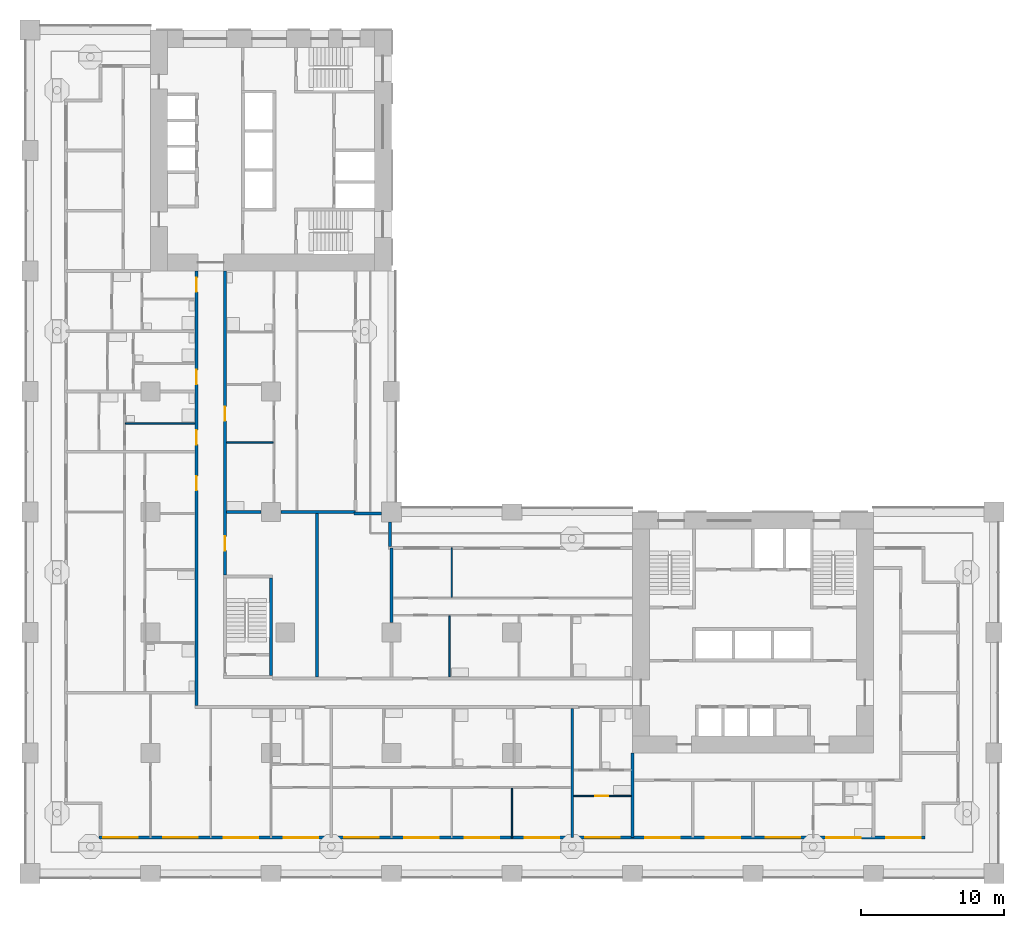
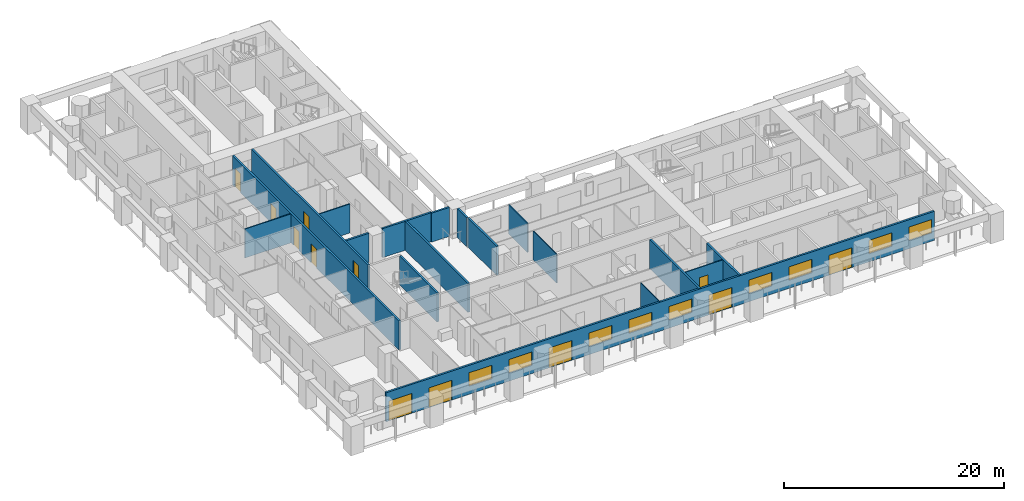
# One storey, part 4 of 19: 18 walls, 12 doors, 9 windows, 21 openings.
"""IFC4 building model written with IfcOpenShell, lengths in metres."""

import ifcopenshell
import ifcopenshell.guid

model = None  # the IFC model being written
_history = None  # IfcOwnerHistory: only IFC2X3 demands one
_inside = {}  # id of a spatial element -> (the spatial element, [elements in it])
_under = {}  # id of a project, library or spatial element -> (it, [spatial elements below it])
_declared = {}  # id of a project -> (the project, [libraries it declares])
_typed = {}  # id of a type object -> (the type object, [elements of that type])
_made_of = {}  # id of a material, layer set ... -> (it, [elements and type objects made of it])


def new_model(schema):
    """Start an empty IFC model of exactly this schema.

    Asked for "IFC4X3", IfcOpenShell would pick the latest addendum, in which some entities
    have other attributes; the version numbers below select the first issue.
    IFC2X3 requires an IfcOwnerHistory on every rooted entity: one is made here for all.
    """
    global model, _history
    if schema == "IFC4X3":
        model = ifcopenshell.file(schema_version=(4, 3, 0, 0))
    else:
        model = ifcopenshell.file(schema=schema)
    _inside.clear()
    _under.clear()
    _declared.clear()
    _typed.clear()
    _made_of.clear()
    _history = None
    if model.schema == "IFC2X3":
        org = make("IfcOrganization", Name="unknown")
        user = make(
            "IfcPersonAndOrganization",
            ThePerson=make("IfcPerson", FamilyName="unknown"),
            TheOrganization=org,
        )
        app = make(
            "IfcApplication",
            ApplicationDeveloper=org,
            Version="unknown",
            ApplicationFullName="unknown",
            ApplicationIdentifier="unknown",
        )
        _history = make(
            "IfcOwnerHistory",
            OwningUser=user,
            OwningApplication=app,
            ChangeAction="ADDED",
            CreationDate=0,
        )
    return model


def make(cls, **values):
    """One entity of the class cls with the attributes given. An attribute that is None is left unset."""
    return model.create_entity(
        cls, **{name: value for name, value in values.items() if value is not None}
    )


def rooted(cls, **values):
    """An entity with a GlobalId (a new one), such as an element, a storey or a relation."""
    return make(cls, GlobalId=ifcopenshell.guid.new(), OwnerHistory=_history, **values)


def si_unit(unit_type, name, prefix=None):
    """IfcSIUnit, for example si_unit("LENGTHUNIT", "METRE", prefix="MILLI")."""
    return make("IfcSIUnit", UnitType=unit_type, Prefix=prefix, Name=name)


def assignment(units):
    """IfcUnitAssignment: the units of a project."""
    return None if units is None else make("IfcUnitAssignment", Units=units)


def point(xyz):
    """IfcCartesianPoint."""
    return None if xyz is None else make("IfcCartesianPoint", Coordinates=xyz)


def direction(xyz):
    """IfcDirection."""
    return None if xyz is None else make("IfcDirection", DirectionRatios=xyz)


def frame(location, z_axis=None, x_axis=None):
    """IfcAxis2Placement3D, a coordinate frame: its origin and axes. An axis left out is left unset."""
    return make(
        "IfcAxis2Placement3D",
        Location=point(location),
        Axis=direction(z_axis),
        RefDirection=direction(x_axis),
    )


def frame_2d(location, x_axis=None):
    """IfcAxis2Placement2D, a coordinate frame in the plane: its origin and x axis."""
    return make(
        "IfcAxis2Placement2D", Location=point(location), RefDirection=direction(x_axis)
    )


def origin():
    """The frame at (0, 0, 0) with its axes left unset."""
    return frame((0.0, 0.0, 0.0))


def place(relative_to, where):
    """IfcLocalPlacement: puts the frame where relative to a parent placement (None: the world)."""
    return make(
        "IfcLocalPlacement", PlacementRelTo=relative_to, RelativePlacement=where
    )


def context(
    kind, dimensions, precision=None, world=None, true_north=None, identifier=None
):
    """IfcGeometricRepresentationContext, for example the 3D "Model" context."""
    return make(
        "IfcGeometricRepresentationContext",
        ContextIdentifier=identifier,
        ContextType=kind,
        CoordinateSpaceDimension=dimensions,
        Precision=precision,
        WorldCoordinateSystem=world,
        TrueNorth=true_north,
    )


def subcontext(parent, identifier, kind, view, scale=None):
    """IfcGeometricRepresentationSubContext, for example "Body" below "Model"."""
    return make(
        "IfcGeometricRepresentationSubContext",
        ContextIdentifier=identifier,
        ContextType=kind,
        ParentContext=parent,
        TargetScale=scale,
        TargetView=view,
    )


def project(units=None, contexts=None):
    """IfcProject with its units and contexts."""
    return rooted(
        "IfcProject",
        Name="project",
        RepresentationContexts=contexts,
        UnitsInContext=assignment(units),
    )


def spatial(cls, under=None, at=None, **own):
    """A site, building, storey or space (cls), placed at a placement, below another one or the project."""
    s = rooted(cls, ObjectPlacement=at, **own)
    if under is not None:
        _under.setdefault(under.id(), (under, []))[1].append(s)
    return s


def profile(cls, at=None, kind="AREA", **sizes):
    """A parametric profile (cls). Its sizes go by their IFC names, for example OverallWidth=200.0."""
    return make(cls, ProfileType=kind, Position=at, **sizes)


def rectangle(**sizes):
    """IfcRectangleProfileDef."""
    return profile("IfcRectangleProfileDef", **sizes)


def extrude(swept, where, along, depth):
    """IfcExtrudedAreaSolid: the profile swept, set in the frame where, extruded along a direction by depth."""
    return make(
        "IfcExtrudedAreaSolid",
        SweptArea=swept,
        Position=where,
        ExtrudedDirection=direction(along),
        Depth=depth,
    )


def shape(context_of_items, identifier, shape_type, items):
    """IfcShapeRepresentation: the items that make up one representation, for example the "Body"."""
    return make(
        "IfcShapeRepresentation",
        ContextOfItems=context_of_items,
        RepresentationIdentifier=identifier,
        RepresentationType=shape_type,
        Items=items,
    )


def material(Name=None, Category=None):
    """IfcMaterial."""
    return make("IfcMaterial", Name=Name, Category=Category)


def layer(
    of_material, thickness, ventilated=None, Name=None, Category=None, Priority=None
):
    """IfcMaterialLayer: one layer of a wall or slab, of a material (None: an air gap)."""
    return make(
        "IfcMaterialLayer",
        Material=of_material,
        LayerThickness=thickness,
        IsVentilated=ventilated,
        Name=Name,
        Category=Category,
        Priority=Priority,
    )


def layer_set(layers, Name=None):
    """IfcMaterialLayerSet."""
    return make("IfcMaterialLayerSet", MaterialLayers=layers, LayerSetName=Name)


def made_of(thing, what):
    """Note that an element or type object is made of a material, layer set ...; save() writes the relation."""
    if what is not None:
        _made_of.setdefault(what.id(), (what, []))[1].append(thing)
    return thing


def type_object(cls, material=None, **own):
    """A type object (cls), such as IfcWallType, which elements share."""
    return made_of(rooted(cls, **own), material)


def element(
    cls,
    number,
    at=None,
    inside=None,
    cuts=None,
    type_object=None,
    material=None,
    context=None,
    identifier="Body",
    shape_type=None,
    held_by="IfcProductDefinitionShape",
    body=None,
    shapes=None,
    **own,
):
    """One element of the class cls, such as IfcWall. Its Tag is "e" and its number.

    at: its placement. inside: the storey or other place that contains it. cuts: it is an
    opening in that element (IfcRelVoidsElement). A single representation is given by context,
    identifier, shape_type and body (its items); several are given by shapes. held_by: the class
    of the entity that holds the representations. save() writes the other relations.
    """
    e = rooted(cls, Tag="e%d" % number, ObjectPlacement=at, **own)
    if body is not None:
        shapes = [shape(context, identifier, shape_type, body)]
    if shapes is not None:
        e.Representation = make(held_by, Representations=shapes)
    if inside is not None:
        _inside.setdefault(inside.id(), (inside, []))[1].append(e)
    if cuts is not None:
        rooted(
            "IfcRelVoidsElement", RelatingBuildingElement=cuts, RelatedOpeningElement=e
        )
    if type_object is not None:
        _typed.setdefault(type_object.id(), (type_object, []))[1].append(e)
    return made_of(e, material)


def fill(opening, filler):
    """IfcRelFillsElement: the door or window that sits in an opening."""
    return rooted(
        "IfcRelFillsElement",
        RelatingOpeningElement=opening,
        RelatedBuildingElement=filler,
    )


def aggregate(whole, parts):
    """IfcRelAggregates: a whole, such as a stair, and the parts it consists of."""
    return rooted("IfcRelAggregates", RelatingObject=whole, RelatedObjects=parts)


def save(model, path):
    """Write the relations noted so far, then the file.

    IfcRelAggregates (storeys below a building ...), IfcRelContainedInSpatialStructure (elements
    in a storey), IfcRelDefinesByType, IfcRelAssociatesMaterial and IfcRelDeclares: one each for
    every whole, place, type object, material and project.
    """
    for whole, parts in _under.values():
        aggregate(whole, parts)
    for where, things in _inside.values():
        rooted(
            "IfcRelContainedInSpatialStructure",
            RelatedElements=things,
            RelatingStructure=where,
        )
    for kind, things in _typed.values():
        rooted("IfcRelDefinesByType", RelatedObjects=things, RelatingType=kind)
    for what, things in _made_of.values():
        rooted("IfcRelAssociatesMaterial", RelatedObjects=things, RelatingMaterial=what)
    for by, libraries in _declared.values():
        rooted("IfcRelDeclares", RelatingContext=by, RelatedDefinitions=libraries)
    model.write(path)


model = new_model("IFC4")

# Units and contexts
model_context = context("Model", 3, precision=1e-05, world=origin(), true_north=direction((0.0, 1.0)))
body_context = subcontext(model_context, "Body", "Model", "MODEL_VIEW")
ifc_project = project(units=[si_unit("LENGTHUNIT", "METRE"), si_unit("AREAUNIT", "SQUARE_METRE"), si_unit("VOLUMEUNIT", "CUBIC_METRE"), si_unit("PLANEANGLEUNIT", "RADIAN"), si_unit("MASSUNIT", "GRAM", prefix="KILO")], contexts=[model_context])

# Site, building, storey
site_placement = place(None, origin())
site = spatial("IfcSite", under=ifc_project, at=site_placement, CompositionType="ELEMENT")
building_placement = place(site_placement, origin())
building = spatial("IfcBuilding", under=site, at=building_placement, Name="Vermilion Gate Residences", CompositionType="ELEMENT")
storey_placement = place(building_placement, frame((0.0, 0.0, 32.199951171875)))
storey = spatial("IfcBuildingStorey", under=building, at=storey_placement, Name="L06", CompositionType="ELEMENT", Elevation=32.199951171875)

# Wall, openings, doors, windows
ifc_material_1 = material(Name="Insulated steel stud wall with terracotta rainscreen", Category="masonry")
ifc_layer_1 = layer(ifc_material_1, 0.199951171875)
ifc_layer_set_1 = layer_set([ifc_layer_1], Name="EXTERNAL WALL 200 TERRACOTTA RAINSCREEN")
wall_type_1 = type_object("IfcWallType", Name="EXTERNAL WALL 200 TERRACOTTA RAINSCREEN", PredefinedType="SOLIDWALL", material=ifc_layer_set_1)
wall_1_placement = place(storey_placement, frame((4.800048828125, 2.5, 0.0), z_axis=(0.0, 0.0, 1.0), x_axis=(1.0, 0.0, 0.0)))
wall_1 = element("IfcWall", 1, at=wall_1_placement, inside=storey, type_object=wall_type_1, Name="External wall", PredefinedType="SOLIDWALL", context=body_context, shape_type="SweptSolid", body=[
    extrude(rectangle(XDim=57.599853515625, YDim=0.199951171875, at=frame_2d((28.7998046875, 0.0))), origin(), (0.0, 0.0, 1.0), 3.219970703125),
])
opening_1_placement = place(wall_1_placement, frame((0.300048828125, 0.0, 0.0)))
opening_1 = element("IfcOpeningElement", 2, at=opening_1_placement, cuts=wall_1, Name="Opening DE06014", PredefinedType="OPENING", context=body_context, shape_type="SweptSolid", body=[
    extrude(rectangle(XDim=2.39990234375, YDim=2.199951171875, at=frame_2d((1.199951171875, 1.10009765625))), frame((0.0, 0.10986328125, 0.0), z_axis=(0.0, -1.0, 0.0), x_axis=(1.0, 0.0, 0.0)), (0.0, 0.0, 1.0), 0.219970703125),
])
opening_2_placement = place(wall_1_placement, frame((4.5, 0.0, 0.0)))
opening_2 = element("IfcOpeningElement", 3, at=opening_2_placement, cuts=wall_1, Name="Opening DE06015", PredefinedType="OPENING", context=body_context, shape_type="SweptSolid", body=[
    extrude(rectangle(XDim=2.39990234375, YDim=2.199951171875, at=frame_2d((1.199951171875, 1.10009765625))), frame((0.0, 0.10986328125, 0.0), z_axis=(0.0, -1.0, 0.0), x_axis=(1.0, 0.0, 0.0)), (0.0, 0.0, 1.0), 0.219970703125),
])
opening_3_placement = place(wall_1_placement, frame((8.699951171875, 0.0, 0.89990234375)))
opening_3 = element("IfcOpeningElement", 4, at=opening_3_placement, cuts=wall_1, Name="Opening WE06016", PredefinedType="OPENING", context=body_context, shape_type="SweptSolid", body=[
    extrude(rectangle(XDim=2.39990234375, YDim=1.5, at=frame_2d((1.199951171875, 0.75))), frame((0.0, 0.10986328125, 0.0), z_axis=(0.0, -1.0, 0.0), x_axis=(1.0, 0.0, 0.0)), (0.0, 0.0, 1.0), 0.219970703125),
])
opening_4_placement = place(wall_1_placement, frame((12.89990234375, 0.0, 0.89990234375)))
opening_4 = element("IfcOpeningElement", 5, at=opening_4_placement, cuts=wall_1, Name="Opening WE06017", PredefinedType="OPENING", context=body_context, shape_type="SweptSolid", body=[
    extrude(rectangle(XDim=2.39990234375, YDim=1.5, at=frame_2d((1.199951171875, 0.75))), frame((0.0, 0.10986328125, 0.0), z_axis=(0.0, -1.0, 0.0), x_axis=(1.0, 0.0, 0.0)), (0.0, 0.0, 1.0), 0.219970703125),
])
opening_5_placement = place(wall_1_placement, frame((17.10009765625, 0.0, 0.0)))
opening_5 = element("IfcOpeningElement", 6, at=opening_5_placement, cuts=wall_1, Name="Opening DE06018", PredefinedType="OPENING", context=body_context, shape_type="SweptSolid", body=[
    extrude(rectangle(XDim=2.39990234375, YDim=2.199951171875, at=frame_2d((1.199951171875, 1.10009765625))), frame((0.0, 0.10986328125, 0.0), z_axis=(0.0, -1.0, 0.0), x_axis=(1.0, 0.0, 0.0)), (0.0, 0.0, 1.0), 0.219970703125),
])
opening_6_placement = place(wall_1_placement, frame((21.300048828125, 0.0, 0.89990234375)))
opening_6 = element("IfcOpeningElement", 7, at=opening_6_placement, cuts=wall_1, Name="Opening WE06019", PredefinedType="OPENING", context=body_context, shape_type="SweptSolid", body=[
    extrude(rectangle(XDim=2.39990234375, YDim=1.5, at=frame_2d((1.199951171875, 0.75))), frame((0.0, 0.10986328125, 0.0), z_axis=(0.0, -1.0, 0.0), x_axis=(1.0, 0.0, 0.0)), (0.0, 0.0, 1.0), 0.219970703125),
])
opening_7_placement = place(wall_1_placement, frame((25.5, 0.0, 0.89990234375)))
opening_7 = element("IfcOpeningElement", 8, at=opening_7_placement, cuts=wall_1, Name="Opening WE06020", PredefinedType="OPENING", context=body_context, shape_type="SweptSolid", body=[
    extrude(rectangle(XDim=2.39990234375, YDim=1.5, at=frame_2d((1.199951171875, 0.75))), frame((0.0, 0.10986328125, 0.0), z_axis=(0.0, -1.0, 0.0), x_axis=(1.0, 0.0, 0.0)), (0.0, 0.0, 1.0), 0.219970703125),
])
opening_8_placement = place(wall_1_placement, frame((29.699951171875, 0.0, 0.89990234375)))
opening_8 = element("IfcOpeningElement", 9, at=opening_8_placement, cuts=wall_1, Name="Opening WE06021", PredefinedType="OPENING", context=body_context, shape_type="SweptSolid", body=[
    extrude(rectangle(XDim=2.39990234375, YDim=1.5, at=frame_2d((1.199951171875, 0.75))), frame((0.0, 0.10986328125, 0.0), z_axis=(0.0, -1.0, 0.0), x_axis=(1.0, 0.0, 0.0)), (0.0, 0.0, 1.0), 0.219970703125),
])
opening_9_placement = place(wall_1_placement, frame((33.89990234375, 0.0, 0.0)))
opening_9 = element("IfcOpeningElement", 10, at=opening_9_placement, cuts=wall_1, Name="Opening DE06022", PredefinedType="OPENING", context=body_context, shape_type="SweptSolid", body=[
    extrude(rectangle(XDim=2.39990234375, YDim=2.199951171875, at=frame_2d((1.199951171875, 1.10009765625))), frame((0.0, 0.10986328125, 0.0), z_axis=(0.0, -1.0, 0.0), x_axis=(1.0, 0.0, 0.0)), (0.0, 0.0, 1.0), 0.219970703125),
])
opening_10_placement = place(wall_1_placement, frame((38.10009765625, 0.0, 0.89990234375)))
opening_10 = element("IfcOpeningElement", 11, at=opening_10_placement, cuts=wall_1, Name="Opening WE06023", PredefinedType="OPENING", context=body_context, shape_type="SweptSolid", body=[
    extrude(rectangle(XDim=2.39990234375, YDim=1.5, at=frame_2d((1.199951171875, 0.75))), frame((0.0, 0.10986328125, 0.0), z_axis=(0.0, -1.0, 0.0), x_axis=(1.0, 0.0, 0.0)), (0.0, 0.0, 1.0), 0.219970703125),
])
opening_11_placement = place(wall_1_placement, frame((42.300048828125, 0.0, 0.89990234375)))
opening_11 = element("IfcOpeningElement", 12, at=opening_11_placement, cuts=wall_1, Name="Opening WE06024", PredefinedType="OPENING", context=body_context, shape_type="SweptSolid", body=[
    extrude(rectangle(XDim=2.39990234375, YDim=1.5, at=frame_2d((1.199951171875, 0.75))), frame((0.0, 0.10986328125, 0.0), z_axis=(0.0, -1.0, 0.0), x_axis=(1.0, 0.0, 0.0)), (0.0, 0.0, 1.0), 0.219970703125),
])
opening_12_placement = place(wall_1_placement, frame((46.5, 0.0, 0.0)))
opening_12 = element("IfcOpeningElement", 13, at=opening_12_placement, cuts=wall_1, Name="Opening DE06025", PredefinedType="OPENING", context=body_context, shape_type="SweptSolid", body=[
    extrude(rectangle(XDim=2.39990234375, YDim=2.199951171875, at=frame_2d((1.199951171875, 1.10009765625))), frame((0.0, 0.10986328125, 0.0), z_axis=(0.0, -1.0, 0.0), x_axis=(1.0, 0.0, 0.0)), (0.0, 0.0, 1.0), 0.219970703125),
])
opening_13_placement = place(wall_1_placement, frame((50.699951171875, 0.0, 0.89990234375)))
opening_13 = element("IfcOpeningElement", 14, at=opening_13_placement, cuts=wall_1, Name="Opening WE06026", PredefinedType="OPENING", context=body_context, shape_type="SweptSolid", body=[
    extrude(rectangle(XDim=2.39990234375, YDim=1.5, at=frame_2d((1.199951171875, 0.75))), frame((0.0, 0.10986328125, 0.0), z_axis=(0.0, -1.0, 0.0), x_axis=(1.0, 0.0, 0.0)), (0.0, 0.0, 1.0), 0.219970703125),
])
opening_14_placement = place(wall_1_placement, frame((54.89990234375, 0.0, 0.89990234375)))
opening_14 = element("IfcOpeningElement", 15, at=opening_14_placement, cuts=wall_1, Name="Opening WE06027", PredefinedType="OPENING", context=body_context, shape_type="SweptSolid", body=[
    extrude(rectangle(XDim=2.39990234375, YDim=1.5, at=frame_2d((1.199951171875, 0.75))), frame((0.0, 0.10986328125, 0.0), z_axis=(0.0, -1.0, 0.0), x_axis=(1.0, 0.0, 0.0)), (0.0, 0.0, 1.0), 0.219970703125),
])
ifc_material_2 = material(Name="Aluminium and clear glass", Category="aluminium")
door_type_1 = type_object("IfcDoorType", Name="SLIDING GLAZED DOOR 2400 X 2200", OperationType="DOUBLE_DOOR_SLIDING", PredefinedType="DOOR", material=ifc_material_2)
door_1_placement = place(opening_1_placement, origin())
door_1 = element("IfcDoor", 16, at=door_1_placement, inside=storey, type_object=door_type_1, Name="Loggia sliding door", OperationType="DOUBLE_DOOR_SLIDING", OverallHeight=2.199951171875, OverallWidth=2.39990234375, PredefinedType="DOOR", context=body_context, shape_type="SweptSolid", body=[
    extrude(rectangle(XDim=2.39990234375, YDim=2.199951171875, at=frame_2d((1.199951171875, 1.10009765625))), frame((0.0, 0.02490234375, 0.0), z_axis=(0.0, -1.0, 0.0), x_axis=(1.0, 0.0, 0.0)), (0.0, 0.0, 1.0), 0.050048828125),
])
fill(opening_1, door_1)
door_2_placement = place(opening_2_placement, origin())
door_2 = element("IfcDoor", 17, at=door_2_placement, inside=storey, type_object=door_type_1, Name="Loggia sliding door", OperationType="DOUBLE_DOOR_SLIDING", OverallHeight=2.199951171875, OverallWidth=2.39990234375, PredefinedType="DOOR", context=body_context, shape_type="SweptSolid", body=[
    extrude(rectangle(XDim=2.39990234375, YDim=2.199951171875, at=frame_2d((1.199951171875, 1.10009765625))), frame((0.0, 0.02490234375, 0.0), z_axis=(0.0, -1.0, 0.0), x_axis=(1.0, 0.0, 0.0)), (0.0, 0.0, 1.0), 0.050048828125),
])
fill(opening_2, door_2)
door_3_placement = place(opening_5_placement, origin())
door_3 = element("IfcDoor", 18, at=door_3_placement, inside=storey, type_object=door_type_1, Name="Loggia sliding door", OperationType="DOUBLE_DOOR_SLIDING", OverallHeight=2.199951171875, OverallWidth=2.39990234375, PredefinedType="DOOR", context=body_context, shape_type="SweptSolid", body=[
    extrude(rectangle(XDim=2.39990234375, YDim=2.199951171875, at=frame_2d((1.199951171875, 1.10009765625))), frame((0.0, 0.02490234375, 0.0), z_axis=(0.0, -1.0, 0.0), x_axis=(1.0, 0.0, 0.0)), (0.0, 0.0, 1.0), 0.050048828125),
])
fill(opening_5, door_3)
door_4_placement = place(opening_9_placement, origin())
door_4 = element("IfcDoor", 19, at=door_4_placement, inside=storey, type_object=door_type_1, Name="Loggia sliding door", OperationType="DOUBLE_DOOR_SLIDING", OverallHeight=2.199951171875, OverallWidth=2.39990234375, PredefinedType="DOOR", context=body_context, shape_type="SweptSolid", body=[
    extrude(rectangle(XDim=2.39990234375, YDim=2.199951171875, at=frame_2d((1.199951171875, 1.10009765625))), frame((0.0, 0.02490234375, 0.0), z_axis=(0.0, -1.0, 0.0), x_axis=(1.0, 0.0, 0.0)), (0.0, 0.0, 1.0), 0.050048828125),
])
fill(opening_9, door_4)
door_5_placement = place(opening_12_placement, origin())
door_5 = element("IfcDoor", 20, at=door_5_placement, inside=storey, type_object=door_type_1, Name="Loggia sliding door", OperationType="DOUBLE_DOOR_SLIDING", OverallHeight=2.199951171875, OverallWidth=2.39990234375, PredefinedType="DOOR", context=body_context, shape_type="SweptSolid", body=[
    extrude(rectangle(XDim=2.39990234375, YDim=2.199951171875, at=frame_2d((1.199951171875, 1.10009765625))), frame((0.0, 0.02490234375, 0.0), z_axis=(0.0, -1.0, 0.0), x_axis=(1.0, 0.0, 0.0)), (0.0, 0.0, 1.0), 0.050048828125),
])
fill(opening_12, door_5)
ifc_material_3 = material(Name="Aluminium and clear glass", Category="aluminium")
window_type = type_object("IfcWindowType", Name="WINDOW 2400 X 1500", PartitioningType="SINGLE_PANEL", PredefinedType="WINDOW", material=ifc_material_3)
window_1_placement = place(opening_3_placement, origin())
window_1 = element("IfcWindow", 21, at=window_1_placement, inside=storey, type_object=window_type, Name="Window", OverallHeight=1.5, OverallWidth=2.39990234375, PartitioningType="SINGLE_PANEL", PredefinedType="WINDOW", context=body_context, shape_type="SweptSolid", body=[
    extrude(rectangle(XDim=2.39990234375, YDim=1.5, at=frame_2d((1.199951171875, 0.75))), frame((0.0, 0.030029296875, 0.0), z_axis=(0.0, -1.0, 0.0), x_axis=(1.0, 0.0, 0.0)), (0.0, 0.0, 1.0), 0.06005859375),
])
fill(opening_3, window_1)
window_2_placement = place(opening_4_placement, origin())
window_2 = element("IfcWindow", 22, at=window_2_placement, inside=storey, type_object=window_type, Name="Window", OverallHeight=1.5, OverallWidth=2.39990234375, PartitioningType="SINGLE_PANEL", PredefinedType="WINDOW", context=body_context, shape_type="SweptSolid", body=[
    extrude(rectangle(XDim=2.39990234375, YDim=1.5, at=frame_2d((1.199951171875, 0.75))), frame((0.0, 0.030029296875, 0.0), z_axis=(0.0, -1.0, 0.0), x_axis=(1.0, 0.0, 0.0)), (0.0, 0.0, 1.0), 0.06005859375),
])
fill(opening_4, window_2)
window_3_placement = place(opening_6_placement, origin())
window_3 = element("IfcWindow", 23, at=window_3_placement, inside=storey, type_object=window_type, Name="Window", OverallHeight=1.5, OverallWidth=2.39990234375, PartitioningType="SINGLE_PANEL", PredefinedType="WINDOW", context=body_context, shape_type="SweptSolid", body=[
    extrude(rectangle(XDim=2.39990234375, YDim=1.5, at=frame_2d((1.199951171875, 0.75))), frame((0.0, 0.030029296875, 0.0), z_axis=(0.0, -1.0, 0.0), x_axis=(1.0, 0.0, 0.0)), (0.0, 0.0, 1.0), 0.06005859375),
])
fill(opening_6, window_3)
window_4_placement = place(opening_7_placement, origin())
window_4 = element("IfcWindow", 24, at=window_4_placement, inside=storey, type_object=window_type, Name="Window", OverallHeight=1.5, OverallWidth=2.39990234375, PartitioningType="SINGLE_PANEL", PredefinedType="WINDOW", context=body_context, shape_type="SweptSolid", body=[
    extrude(rectangle(XDim=2.39990234375, YDim=1.5, at=frame_2d((1.199951171875, 0.75))), frame((0.0, 0.030029296875, 0.0), z_axis=(0.0, -1.0, 0.0), x_axis=(1.0, 0.0, 0.0)), (0.0, 0.0, 1.0), 0.06005859375),
])
fill(opening_7, window_4)
window_5_placement = place(opening_8_placement, origin())
window_5 = element("IfcWindow", 25, at=window_5_placement, inside=storey, type_object=window_type, Name="Window", OverallHeight=1.5, OverallWidth=2.39990234375, PartitioningType="SINGLE_PANEL", PredefinedType="WINDOW", context=body_context, shape_type="SweptSolid", body=[
    extrude(rectangle(XDim=2.39990234375, YDim=1.5, at=frame_2d((1.199951171875, 0.75))), frame((0.0, 0.030029296875, 0.0), z_axis=(0.0, -1.0, 0.0), x_axis=(1.0, 0.0, 0.0)), (0.0, 0.0, 1.0), 0.06005859375),
])
fill(opening_8, window_5)
window_6_placement = place(opening_10_placement, origin())
window_6 = element("IfcWindow", 26, at=window_6_placement, inside=storey, type_object=window_type, Name="Window", OverallHeight=1.5, OverallWidth=2.39990234375, PartitioningType="SINGLE_PANEL", PredefinedType="WINDOW", context=body_context, shape_type="SweptSolid", body=[
    extrude(rectangle(XDim=2.39990234375, YDim=1.5, at=frame_2d((1.199951171875, 0.75))), frame((0.0, 0.030029296875, 0.0), z_axis=(0.0, -1.0, 0.0), x_axis=(1.0, 0.0, 0.0)), (0.0, 0.0, 1.0), 0.06005859375),
])
fill(opening_10, window_6)
window_7_placement = place(opening_11_placement, origin())
window_7 = element("IfcWindow", 27, at=window_7_placement, inside=storey, type_object=window_type, Name="Window", OverallHeight=1.5, OverallWidth=2.39990234375, PartitioningType="SINGLE_PANEL", PredefinedType="WINDOW", context=body_context, shape_type="SweptSolid", body=[
    extrude(rectangle(XDim=2.39990234375, YDim=1.5, at=frame_2d((1.199951171875, 0.75))), frame((0.0, 0.030029296875, 0.0), z_axis=(0.0, -1.0, 0.0), x_axis=(1.0, 0.0, 0.0)), (0.0, 0.0, 1.0), 0.06005859375),
])
fill(opening_11, window_7)
window_8_placement = place(opening_13_placement, origin())
window_8 = element("IfcWindow", 28, at=window_8_placement, inside=storey, type_object=window_type, Name="Window", OverallHeight=1.5, OverallWidth=2.39990234375, PartitioningType="SINGLE_PANEL", PredefinedType="WINDOW", context=body_context, shape_type="SweptSolid", body=[
    extrude(rectangle(XDim=2.39990234375, YDim=1.5, at=frame_2d((1.199951171875, 0.75))), frame((0.0, 0.030029296875, 0.0), z_axis=(0.0, -1.0, 0.0), x_axis=(1.0, 0.0, 0.0)), (0.0, 0.0, 1.0), 0.06005859375),
])
fill(opening_13, window_8)
window_9_placement = place(opening_14_placement, origin())
window_9 = element("IfcWindow", 29, at=window_9_placement, inside=storey, type_object=window_type, Name="Window", OverallHeight=1.5, OverallWidth=2.39990234375, PartitioningType="SINGLE_PANEL", PredefinedType="WINDOW", context=body_context, shape_type="SweptSolid", body=[
    extrude(rectangle(XDim=2.39990234375, YDim=1.5, at=frame_2d((1.199951171875, 0.75))), frame((0.0, 0.030029296875, 0.0), z_axis=(0.0, -1.0, 0.0), x_axis=(1.0, 0.0, 0.0)), (0.0, 0.0, 1.0), 0.06005859375),
])
fill(opening_14, window_9)

# Walls
wall_2_placement = place(storey_placement, frame((25.10009765625, 22.800048828125, 0.0), z_axis=(0.0, 0.0, 1.0), x_axis=(0.0, 1.0, 0.0)))
element("IfcWall", 30, at=wall_2_placement, inside=storey, type_object=wall_type_1, Name="External wall", PredefinedType="SOLIDWALL", context=body_context, shape_type="SweptSolid", body=[
    extrude(rectangle(XDim=1.699951171875, YDim=0.199951171875, at=frame_2d((0.85009765625, 0.0))), origin(), (0.0, 0.0, 1.0), 3.219970703125),
])
wall_3_placement = place(storey_placement, frame((24.5, 25.10009765625, 0.0), z_axis=(0.0, 0.0, 1.0), x_axis=(-1.0, 0.0, 0.0)))
element("IfcWall", 31, at=wall_3_placement, inside=storey, type_object=wall_type_1, Name="External wall", PredefinedType="SOLIDWALL", context=body_context, shape_type="SweptSolid", body=[
    extrude(rectangle(XDim=1.89990234375, YDim=0.199951171875, at=frame_2d((0.949951171875, 0.0))), origin(), (0.0, 0.0, 1.0), 3.219970703125),
])

# Wall, opening, door
ifc_material_4 = material(Name="Plasterboard on steel studs", Category="steel")
ifc_layer_2 = layer(ifc_material_4, 0.10009765625)
ifc_layer_set_2 = layer_set([ifc_layer_2], Name="PARTITION 100")
wall_type_2 = type_object("IfcWallType", Name="PARTITION 100", PredefinedType="PARTITIONING", material=ifc_layer_set_2)
wall_4_placement = place(storey_placement, frame((37.89990234375, 5.39990234375, 0.0), z_axis=(0.0, 0.0, 1.0), x_axis=(1.0, 0.0, 0.0)))
wall_4 = element("IfcWall", 32, at=wall_4_placement, inside=storey, type_object=wall_type_2, Name="Partition", PredefinedType="PARTITIONING", context=body_context, shape_type="SweptSolid", body=[
    extrude(rectangle(XDim=4.0, YDim=0.10009765625, at=frame_2d((2.0, 0.0))), origin(), (0.0, 0.0, 1.0), 3.219970703125),
])
opening_15_placement = place(wall_4_placement, frame((1.5, 0.0, 0.0)))
opening_15 = element("IfcOpeningElement", 33, at=opening_15_placement, cuts=wall_4, Name="Opening DA04003", PredefinedType="OPENING", context=body_context, shape_type="SweptSolid", body=[
    extrude(rectangle(XDim=0.89990234375, YDim=2.10009765625, at=frame_2d((0.449951171875, 1.050048828125))), frame((0.0, 0.06005859375, 0.0), z_axis=(0.0, -1.0, 0.0), x_axis=(1.0, 0.0, 0.0)), (0.0, 0.0, 1.0), 0.1201171875),
])
ifc_material_5 = material(Name="Timber", Category="wood")
door_type_2 = type_object("IfcDoorType", Name="INTERIOR DOOR 900 X 2100", OperationType="SINGLE_SWING_LEFT", PredefinedType="DOOR", material=ifc_material_5)
door_6_placement = place(opening_15_placement, origin())
door_6 = element("IfcDoor", 34, at=door_6_placement, inside=storey, type_object=door_type_2, Name="Interior door", OperationType="SINGLE_SWING_RIGHT", OverallHeight=2.10009765625, OverallWidth=0.89990234375, PredefinedType="DOOR", context=body_context, shape_type="SweptSolid", body=[
    extrude(rectangle(XDim=0.89990234375, YDim=2.10009765625, at=frame_2d((0.449951171875, 1.050048828125))), frame((0.0, 0.02490234375, 0.0), z_axis=(0.0, -1.0, 0.0), x_axis=(1.0, 0.0, 0.0)), (0.0, 0.0, 1.0), 0.050048828125),
])
fill(opening_15, door_6)

# Walls
wall_5_placement = place(storey_placement, frame((13.699951171875, 30.050048828125, 0.0), z_axis=(0.0, 0.0, 1.0), x_axis=(1.0, 0.0, 0.0)))
element("IfcWall", 35, at=wall_5_placement, inside=storey, type_object=wall_type_2, Name="Partition", PredefinedType="PARTITIONING", context=body_context, shape_type="SweptSolid", body=[
    extrude(rectangle(XDim=3.25, YDim=0.10009765625, at=frame_2d((1.625, 0.0))), origin(), (0.0, 0.0, 1.0), 3.219970703125),
])
wall_6_placement = place(storey_placement, frame((6.64990234375, 31.360107421875, 0.0), z_axis=(0.0, 0.0, 1.0), x_axis=(1.0, 0.0, 0.0)))
element("IfcWall", 36, at=wall_6_placement, inside=storey, type_object=wall_type_2, Name="Partition", PredefinedType="PARTITIONING", context=body_context, shape_type="SweptSolid", body=[
    extrude(rectangle(XDim=4.85009765625, YDim=0.10009765625, at=frame_2d((2.425048828125, 0.0))), origin(), (0.0, 0.0, 1.0), 3.219970703125),
])
wall_7_placement = place(storey_placement, frame((29.25, 13.699951171875, 0.0), z_axis=(0.0, 0.0, 1.0), x_axis=(0.0, 1.0, 0.0)))
element("IfcWall", 37, at=wall_7_placement, inside=storey, type_object=wall_type_2, Name="Partition", PredefinedType="PARTITIONING", context=body_context, shape_type="SweptSolid", body=[
    extrude(rectangle(XDim=4.25, YDim=0.10009765625, at=frame_2d((2.125, 0.0))), origin(), (0.0, 0.0, 1.0), 3.219970703125),
])
for number, where, z_axis, x_axis, name in (
    (38, (29.39990234375, 19.25, 0.0), (0.0, 0.0, 1.0), (0.0, 1.0, 0.0), "Partition"),
    (39, (33.60009765625, 2.5, 0.0), (0.0, 0.0, 1.0), (0.0, 1.0, 0.0), "Partition"),
):
    element("IfcWall", number, at=place(storey_placement, frame(where, z_axis=z_axis, x_axis=x_axis)), inside=storey, type_object=wall_type_2, Name=name, PredefinedType="PARTITIONING", context=body_context, shape_type="SweptSolid", body=[
        extrude(rectangle(XDim=3.449951171875, YDim=0.10009765625, at=frame_2d((1.72509765625, 0.0))), origin(), (0.0, 0.0, 1.0), 3.219970703125),
    ])
ifc_material_6 = material(Name="Fire-rated plasterboard on steel studs", Category="steel")
ifc_layer_3 = layer(ifc_material_6, 0.199951171875)
ifc_layer_set_3 = layer_set([ifc_layer_3], Name="PARTY WALL 200 EI 120")
wall_type_3 = type_object("IfcWallType", Name="PARTY WALL 200 EI 120", PredefinedType="PARTITIONING", material=ifc_layer_set_3)
wall_8_placement = place(storey_placement, frame((13.699951171875, 25.199951171875, 0.0), z_axis=(0.0, 0.0, 1.0), x_axis=(1.0, 0.0, 0.0)))
element("IfcWall", 40, at=wall_8_placement, inside=storey, type_object=wall_type_3, Name="Party and corridor wall", PredefinedType="PARTITIONING", context=body_context, shape_type="SweptSolid", body=[
    extrude(rectangle(XDim=2.400146484375, YDim=0.199951171875, at=frame_2d((1.2001953125, 0.0))), origin(), (0.0, 0.0, 1.0), 3.219970703125),
])
wall_9_placement = place(storey_placement, frame((17.5, 25.199951171875, 0.0), z_axis=(0.0, 0.0, 1.0), x_axis=(1.0, 0.0, 0.0)))
element("IfcWall", 41, at=wall_9_placement, inside=storey, type_object=wall_type_3, Name="Party and corridor wall", PredefinedType="PARTITIONING", context=body_context, shape_type="SweptSolid", body=[
    extrude(rectangle(XDim=5.199951171875, YDim=0.199951171875, at=frame_2d((2.60009765625, 0.0))), origin(), (0.0, 0.0, 1.0), 3.219970703125),
])

# Wall, openings, doors
wall_10_placement = place(storey_placement, frame((11.60009765625, 11.699951171875, 0.0), z_axis=(0.0, 0.0, 1.0), x_axis=(0.0, 1.0, 0.0)))
wall_10 = element("IfcWall", 42, at=wall_10_placement, inside=storey, type_object=wall_type_3, Name="Party and corridor wall", PredefinedType="PARTITIONING", context=body_context, shape_type="SweptSolid", body=[
    extrude(rectangle(XDim=30.300048828125, YDim=0.199951171875, at=frame_2d((15.14990234375, 0.0))), origin(), (0.0, 0.0, 1.0), 3.219970703125),
])
opening_16_placement = place(wall_10_placement, frame((15.0, 0.0, 0.0)))
opening_16 = element("IfcOpeningElement", 43, at=opening_16_placement, cuts=wall_10, Name="Opening DA04051", PredefinedType="OPENING", context=body_context, shape_type="SweptSolid", body=[
    extrude(rectangle(XDim=1.0, YDim=2.10009765625, at=frame_2d((0.5, 1.050048828125))), frame((0.0, 0.10986328125, 0.0), z_axis=(0.0, -1.0, 0.0), x_axis=(1.0, 0.0, 0.0)), (0.0, 0.0, 1.0), 0.219970703125),
])
opening_17_placement = place(wall_10_placement, frame((18.199951171875, 0.0, 0.0)))
opening_17 = element("IfcOpeningElement", 44, at=opening_17_placement, cuts=wall_10, Name="Opening DA04052", PredefinedType="OPENING", context=body_context, shape_type="SweptSolid", body=[
    extrude(rectangle(XDim=1.0, YDim=2.10009765625, at=frame_2d((0.5, 1.050048828125))), frame((0.0, 0.10986328125, 0.0), z_axis=(0.0, -1.0, 0.0), x_axis=(1.0, 0.0, 0.0)), (0.0, 0.0, 1.0), 0.219970703125),
])
opening_18_placement = place(wall_10_placement, frame((22.39990234375, 0.0, 0.0)))
opening_18 = element("IfcOpeningElement", 45, at=opening_18_placement, cuts=wall_10, Name="Opening DA04053", PredefinedType="OPENING", context=body_context, shape_type="SweptSolid", body=[
    extrude(rectangle(XDim=1.0, YDim=2.10009765625, at=frame_2d((0.5, 1.050048828125))), frame((0.0, 0.10986328125, 0.0), z_axis=(0.0, -1.0, 0.0), x_axis=(1.0, 0.0, 0.0)), (0.0, 0.0, 1.0), 0.219970703125),
])
opening_19_placement = place(wall_10_placement, frame((28.840087890625, 0.0, 0.0)))
opening_19 = element("IfcOpeningElement", 46, at=opening_19_placement, cuts=wall_10, Name="Opening DA04054", PredefinedType="OPENING", context=body_context, shape_type="SweptSolid", body=[
    extrude(rectangle(XDim=1.0, YDim=2.10009765625, at=frame_2d((0.5, 1.050048828125))), frame((0.0, 0.10986328125, 0.0), z_axis=(0.0, -1.0, 0.0), x_axis=(1.0, 0.0, 0.0)), (0.0, 0.0, 1.0), 0.219970703125),
])
ifc_material_7 = material(Name="Steel", Category="steel")
door_type_3 = type_object("IfcDoorType", Name="ENTRANCE DOOR 1000 X 2100 FD30", OperationType="SINGLE_SWING_LEFT", PredefinedType="DOOR", material=ifc_material_7)
door_7_placement = place(opening_16_placement, origin())
door_7 = element("IfcDoor", 47, at=door_7_placement, inside=storey, type_object=door_type_3, Name="Entrance door", OperationType="SINGLE_SWING_LEFT", OverallHeight=2.10009765625, OverallWidth=1.0, PredefinedType="DOOR", context=body_context, shape_type="SweptSolid", body=[
    extrude(rectangle(XDim=1.0, YDim=2.10009765625, at=frame_2d((0.5, 1.050048828125))), frame((0.0, 0.02490234375, 0.0), z_axis=(0.0, -1.0, 0.0), x_axis=(1.0, 0.0, 0.0)), (0.0, 0.0, 1.0), 0.050048828125),
])
fill(opening_16, door_7)
door_8_placement = place(opening_17_placement, origin())
door_8 = element("IfcDoor", 48, at=door_8_placement, inside=storey, type_object=door_type_3, Name="Entrance door", OperationType="SINGLE_SWING_LEFT", OverallHeight=2.10009765625, OverallWidth=1.0, PredefinedType="DOOR", context=body_context, shape_type="SweptSolid", body=[
    extrude(rectangle(XDim=1.0, YDim=2.10009765625, at=frame_2d((0.5, 1.050048828125))), frame((0.0, 0.02490234375, 0.0), z_axis=(0.0, -1.0, 0.0), x_axis=(1.0, 0.0, 0.0)), (0.0, 0.0, 1.0), 0.050048828125),
])
fill(opening_17, door_8)
door_9_placement = place(opening_18_placement, origin())
door_9 = element("IfcDoor", 49, at=door_9_placement, inside=storey, type_object=door_type_3, Name="Entrance door", OperationType="SINGLE_SWING_LEFT", OverallHeight=2.10009765625, OverallWidth=1.0, PredefinedType="DOOR", context=body_context, shape_type="SweptSolid", body=[
    extrude(rectangle(XDim=1.0, YDim=2.10009765625, at=frame_2d((0.5, 1.050048828125))), frame((0.0, 0.02490234375, 0.0), z_axis=(0.0, -1.0, 0.0), x_axis=(1.0, 0.0, 0.0)), (0.0, 0.0, 1.0), 0.050048828125),
])
fill(opening_18, door_9)
door_10_placement = place(opening_19_placement, origin())
door_10 = element("IfcDoor", 50, at=door_10_placement, inside=storey, type_object=door_type_3, Name="Entrance door", OperationType="SINGLE_SWING_LEFT", OverallHeight=2.10009765625, OverallWidth=1.0, PredefinedType="DOOR", context=body_context, shape_type="SweptSolid", body=[
    extrude(rectangle(XDim=1.0, YDim=2.10009765625, at=frame_2d((0.5, 1.050048828125))), frame((0.0, 0.02490234375, 0.0), z_axis=(0.0, -1.0, 0.0), x_axis=(1.0, 0.0, 0.0)), (0.0, 0.0, 1.0), 0.050048828125),
])
fill(opening_19, door_10)

wall_11_placement = place(storey_placement, frame((13.60009765625, 20.800048828125, 0.0), z_axis=(0.0, 0.0, 1.0), x_axis=(0.0, 1.0, 0.0)))
wall_11 = element("IfcWall", 51, at=wall_11_placement, inside=storey, type_object=wall_type_3, Name="Party and corridor wall", PredefinedType="PARTITIONING", context=body_context, shape_type="SweptSolid", body=[
    extrude(rectangle(XDim=21.199951171875, YDim=0.199951171875, at=frame_2d((10.60009765625, 0.0))), origin(), (0.0, 0.0, 1.0), 3.219970703125),
])
opening_20_placement = place(wall_11_placement, frame((10.75, 0.0, 0.0)))
opening_20 = element("IfcOpeningElement", 52, at=opening_20_placement, cuts=wall_11, Name="Opening DA04056", PredefinedType="OPENING", context=body_context, shape_type="SweptSolid", body=[
    extrude(rectangle(XDim=1.0, YDim=2.10009765625, at=frame_2d((0.5, 1.050048828125))), frame((0.0, 0.10986328125, 0.0), z_axis=(0.0, -1.0, 0.0), x_axis=(1.0, 0.0, 0.0)), (0.0, 0.0, 1.0), 0.219970703125),
])
opening_21_placement = place(wall_11_placement, frame((1.699951171875, 0.0, 0.0)))
opening_21 = element("IfcOpeningElement", 53, at=opening_21_placement, cuts=wall_11, Name="Opening DA04057", PredefinedType="OPENING", context=body_context, shape_type="SweptSolid", body=[
    extrude(rectangle(XDim=1.0, YDim=2.10009765625, at=frame_2d((0.5, 1.050048828125))), frame((0.0, 0.10986328125, 0.0), z_axis=(0.0, -1.0, 0.0), x_axis=(1.0, 0.0, 0.0)), (0.0, 0.0, 1.0), 0.219970703125),
])
door_11_placement = place(opening_20_placement, frame((1.0, 0.0, 0.0), z_axis=(0.0, 0.0, 1.0), x_axis=(-1.0, 0.0, 0.0)))
door_11 = element("IfcDoor", 54, at=door_11_placement, inside=storey, type_object=door_type_3, Name="Entrance door", OperationType="SINGLE_SWING_RIGHT", OverallHeight=2.10009765625, OverallWidth=1.0, PredefinedType="DOOR", context=body_context, shape_type="SweptSolid", body=[
    extrude(rectangle(XDim=1.0, YDim=2.10009765625, at=frame_2d((0.5, 1.050048828125))), frame((0.0, 0.02490234375, 0.0), z_axis=(0.0, -1.0, 0.0), x_axis=(1.0, 0.0, 0.0)), (0.0, 0.0, 1.0), 0.050048828125),
])
fill(opening_20, door_11)
door_12_placement = place(opening_21_placement, frame((1.0, 0.0, 0.0), z_axis=(0.0, 0.0, 1.0), x_axis=(-1.0, 0.0, 0.0)))
door_12 = element("IfcDoor", 55, at=door_12_placement, inside=storey, type_object=door_type_3, Name="Entrance door", OperationType="SINGLE_SWING_LEFT", OverallHeight=2.10009765625, OverallWidth=1.0, PredefinedType="DOOR", context=body_context, shape_type="SweptSolid", body=[
    extrude(rectangle(XDim=1.0, YDim=2.10009765625, at=frame_2d((0.5, 1.050048828125))), frame((0.0, 0.02490234375, 0.0), z_axis=(0.0, -1.0, 0.0), x_axis=(1.0, 0.0, 0.0)), (0.0, 0.0, 1.0), 0.050048828125),
])
fill(opening_21, door_12)

# Walls
wall_12_placement = place(storey_placement, frame((20.0, 13.699951171875, 0.0), z_axis=(0.0, 0.0, 1.0), x_axis=(0.0, 1.0, 0.0)))
element("IfcWall", 56, at=wall_12_placement, inside=storey, type_object=wall_type_3, Name="Party and corridor wall", PredefinedType="PARTITIONING", context=body_context, shape_type="SweptSolid", body=[
    extrude(rectangle(XDim=11.400146484375, YDim=0.199951171875, at=frame_2d((5.7001953125, 0.0))), origin(), (0.0, 0.0, 1.0), 3.219970703125),
])
wall_13_placement = place(storey_placement, frame((25.199951171875, 17.5, 0.0), z_axis=(0.0, 0.0, 1.0), x_axis=(0.0, 1.0, 0.0)))
element("IfcWall", 57, at=wall_13_placement, inside=storey, type_object=wall_type_3, Name="Party and corridor wall", PredefinedType="PARTITIONING", context=body_context, shape_type="SweptSolid", body=[
    extrude(rectangle(XDim=5.199951171875, YDim=0.199951171875, at=frame_2d((2.60009765625, 0.0))), origin(), (0.0, 0.0, 1.0), 3.219970703125),
])
wall_14_placement = place(storey_placement, frame((37.800048828125, 2.5, 0.0), z_axis=(0.0, 0.0, 1.0), x_axis=(0.0, 1.0, 0.0)))
element("IfcWall", 58, at=wall_14_placement, inside=storey, type_object=wall_type_3, Name="Party and corridor wall", PredefinedType="PARTITIONING", context=body_context, shape_type="SweptSolid", body=[
    extrude(rectangle(XDim=9.0, YDim=0.199951171875, at=frame_2d((4.5, 0.0))), origin(), (0.0, 0.0, 1.0), 3.219970703125),
])
wall_15_placement = place(storey_placement, frame((42.0, 2.5, 0.0), z_axis=(0.0, 0.0, 1.0), x_axis=(0.0, 1.0, 0.0)))
element("IfcWall", 59, at=wall_15_placement, inside=storey, type_object=wall_type_3, Name="Party and corridor wall", PredefinedType="PARTITIONING", context=body_context, shape_type="SweptSolid", body=[
    extrude(rectangle(XDim=5.89990234375, YDim=0.199951171875, at=frame_2d((2.949951171875, 0.0))), origin(), (0.0, 0.0, 1.0), 3.219970703125),
])
ifc_material_8 = material(Name="Concrete C60", Category="concrete")
ifc_layer_4 = layer(ifc_material_8, 0.199951171875)
ifc_layer_set_4 = layer_set([ifc_layer_4], Name="RC CORE INTERNAL WALL 200 C60")
wall_type_4 = type_object("IfcWallType", Name="RC CORE INTERNAL WALL 200 C60", PredefinedType="SHEAR", material=ifc_layer_set_4)
wall_16_placement = place(storey_placement, frame((16.800048828125, 13.800048828125, 0.0), z_axis=(0.0, 0.0, 1.0), x_axis=(0.0, 1.0, 0.0)))
element("IfcWall", 60, at=wall_16_placement, inside=storey, type_object=wall_type_4, Name="Core internal wall C06-E", PredefinedType="SHEAR", context=body_context, shape_type="SweptSolid", body=[
    extrude(rectangle(XDim=6.800048828125, YDim=0.199951171875, at=frame_2d((3.39990234375, 0.0))), origin(), (0.0, 0.0, 1.0), 3.219970703125),
])

save(model, "model.ifc")
